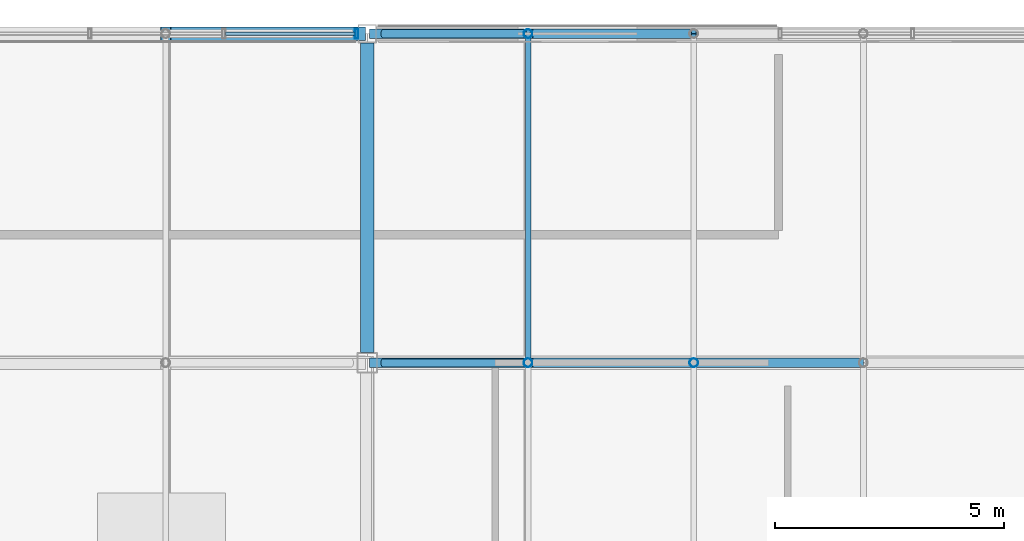
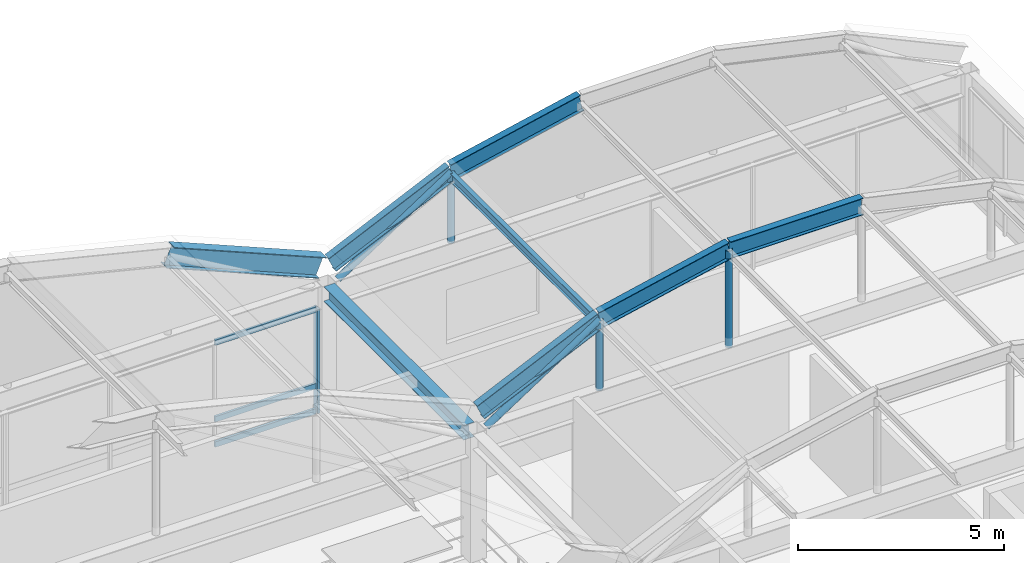
# One storey, part 67 of 106: 16 members, 1 beam, 1 element without a shape of its own.
"""IFC4 building model written with IfcOpenShell, lengths in metres."""

from ifc_helpers import new_model, si_unit, direction, frame, origin, origin_2d, place, context, subcontext, project, spatial, hollow_rectangle, hollow_circle, i_section, extrude, material, material_profile, profile_set, type_object, element, aggregate, save


model = new_model("IFC4")

# Units and contexts
model_context = context("Model", 3, precision=1e-05, world=origin(), true_north=direction((0.0, 1.0)))
body_context = subcontext(model_context, "Body", "Model", "MODEL_VIEW")
ifc_project = project(units=[si_unit("LENGTHUNIT", "METRE"), si_unit("AREAUNIT", "SQUARE_METRE"), si_unit("VOLUMEUNIT", "CUBIC_METRE"), si_unit("PLANEANGLEUNIT", "RADIAN"), si_unit("MASSUNIT", "GRAM", prefix="KILO")], contexts=[model_context])

# Site, building, storey
site_placement = place(None, origin())
site = spatial("IfcSite", under=ifc_project, at=site_placement, CompositionType="ELEMENT")
building_placement = place(site_placement, origin())
building = spatial("IfcBuilding", under=site, at=building_placement, Name="Kazanami Central Library", CompositionType="ELEMENT")
storey_placement = place(building_placement, frame((0.0, 0.0, 12.800048828125)))
storey = spatial("IfcBuildingStorey", under=building, at=storey_placement, Name="L04", CompositionType="ELEMENT", Elevation=12.800048828125)

# Beam
ifc_material_1 = material(Name="Steel SN490B (325 MPa)", Category="steel")
ifc_material_profile_1 = material_profile(ifc_material_1, i_section(OverallWidth=0.300048828125, OverallDepth=0.43994140625, WebThickness=0.010986328125, FlangeThickness=0.01806640625, at=origin_2d()), Name="H-440x300x11x18")
ifc_profile_set_1 = profile_set([ifc_material_profile_1], Name="Steel SN490B (325 MPa)")
beam_type = type_object("IfcBeamType", Name="BM-G-Y4", PredefinedType="BEAM", material=ifc_profile_set_1)
beam_placement = place(storey_placement, frame((90.0, 86.623046875, 3.56005859375), z_axis=(0.0, 1.0, 0.0), x_axis=(-1.0, 0.0, 0.0)))
element("IfcBeam", 1, at=beam_placement, inside=storey, type_object=beam_type, Name="Girder G-Y4 L04 11/N-O", PredefinedType="BEAM", context=body_context, shape_type="SweptSolid", body=[
    extrude(i_section(OverallWidth=0.300048828125, OverallDepth=0.43994140625, WebThickness=0.010986328125, FlangeThickness=0.01806640625, at=origin_2d()), origin(), (0.0, 0.0, 1.0), 6.779052734375),
])

# Members
ifc_material_profile_2 = material_profile(ifc_material_1, i_section(OverallWidth=0.300048828125, OverallDepth=0.587890625, WebThickness=0.011962890625, FlangeThickness=0.02001953125, at=origin_2d()), Name="H-588x300x12x20")
ifc_profile_set_2 = profile_set([ifc_material_profile_2], Name="Steel SN490B (325 MPa)")
member_type_1 = type_object("IfcMemberType", Name="MEM-AR-01", PredefinedType="CHORD", material=ifc_profile_set_2)
member_1_placement = place(storey_placement, frame((85.592041015625, 93.60009765625, 6.089111328125), z_axis=(0.921854112797, 0.0, -0.387537088185), x_axis=(0.0, 1.0, 0.0)))
element("IfcMember", 2, at=member_1_placement, inside=storey, type_object=member_type_1, Name="Barrel Vault Arch Rib AR-01 VAULT-MAIN Grid O Seg 6", PredefinedType="CHORD", context=body_context, shape_type="SweptSolid", body=[
    extrude(i_section(OverallWidth=0.300048828125, OverallDepth=0.587890625, WebThickness=0.011962890625, FlangeThickness=0.02001953125, at=origin_2d()), origin(), (0.0, 0.0, 1.0), 4.618896484375),
])
ifc_material_profile_3 = material_profile(ifc_material_1, i_section(OverallWidth=0.199951171875, OverallDepth=0.5, WebThickness=0.010009765625, FlangeThickness=0.01611328125, at=origin_2d()), Name="H-500x200x10x16")
ifc_profile_set_3 = profile_set([ifc_material_profile_3], Name="Steel SN490B (325 MPa)")
member_type_2 = type_object("IfcMemberType", Name="MEM-AR-02", PredefinedType="CHORD", material=ifc_profile_set_3)
for number, where, z_axis, x_axis, name in (
    (3, (90.14990234375, 86.39990234375, 4.2548828125), (0.908074880538, 0.0, 0.41880784536), (0.0, 1.0, 0.0), "Barrel Vault Arch Rib AR-02 VAULT-EAST Grid N Seg 1"),
    (4, (93.519775390625, 86.39990234375, 5.80908203125), (0.976745687277, 0.0, 0.214401171606), (0.0, 1.0, 0.0), "Barrel Vault Arch Rib AR-02 VAULT-EAST Grid N Seg 2"),
    (5, (97.14453125, 86.39990234375, 6.604736328125), (1.0, 0.0, 0.0), (0.0, 1.0, 0.0), "Barrel Vault Arch Rib AR-02 VAULT-EAST Grid N Seg 3"),
    (6, (90.14990234375, 93.60009765625, 4.2548828125), (0.908074880538, 0.0, 0.41880784536), (0.0, 1.0, 0.0), "Barrel Vault Arch Rib AR-02 VAULT-EAST Grid O Seg 1"),
    (7, (93.519775390625, 93.60009765625, 5.80908203125), (0.976745687277, 0.0, 0.214401171606), (0.0, 1.0, 0.0), "Barrel Vault Arch Rib AR-02 VAULT-EAST Grid O Seg 2"),
):
    element("IfcMember", number, at=place(storey_placement, frame(where, z_axis=z_axis, x_axis=x_axis)), inside=storey, type_object=member_type_2, Name=name, PredefinedType="CHORD", context=body_context, shape_type="SweptSolid", body=[
        extrude(i_section(OverallWidth=0.199951171875, OverallDepth=0.5, WebThickness=0.010009765625, FlangeThickness=0.01611328125, at=origin_2d()), origin(), (0.0, 0.0, 1.0), 3.7109375),
    ])

# Curtain wall, members
ifc_material_2 = material(Name="Acid-Etched Low-E Laminated Glass", Category="glass")
curtain_wall_type = type_object("IfcCurtainWallType", Name="CW-8800x3080-M275", PredefinedType="USERDEFINED", material=ifc_material_2)
curtain_wall_placement = place(storey_placement, origin())
curtain_wall = element("IfcCurtainWall", 8, at=curtain_wall_placement, inside=storey, type_object=curtain_wall_type, Name="Unitised Curtain Wall CW-42 L04 N-O-09", ObjectType="UNITISED CURTAIN WALL", PredefinedType="USERDEFINED")
ifc_material_3 = material(Name="Anodised Aluminium A6063-T5", Category="aluminium")
ifc_material_profile_4 = material_profile(ifc_material_3, hollow_rectangle(XDim=0.070068359375, YDim=0.2099609375, WallThickness=0.0048828125, at=origin_2d()), Name="ALU-MULL-70x210x5")
ifc_profile_set_4 = profile_set([ifc_material_profile_4], Name="Anodised Aluminium A6063-T5")
member_type_3 = type_object("IfcMemberType", Name="MEM-CW-M1", PredefinedType="MULLION", material=ifc_profile_set_4)
member_2_placement = place(storey_placement, frame((89.764892578125, 93.60009765625, 0.0), z_axis=(0.0, 0.0, 1.0), x_axis=(-1.0, 0.0, 0.0)))
member_2 = element("IfcMember", 9, at=member_2_placement, type_object=member_type_3, Name="CW-42 mullion 1", PredefinedType="MULLION", context=body_context, shape_type="SweptSolid", body=[
    extrude(hollow_rectangle(XDim=0.070068359375, YDim=0.2099609375, WallThickness=0.0048828125, at=origin_2d()), origin(), (0.0, 0.0, 1.0), 3.079833984375),
])
ifc_material_profile_5 = material_profile(ifc_material_3, hollow_rectangle(XDim=0.070068359375, YDim=0.159912109375, WallThickness=0.00390625, at=origin_2d()), Name="ALU-TRAN-70x160x4")
ifc_profile_set_5 = profile_set([ifc_material_profile_5], Name="Anodised Aluminium A6063-T5")
member_type_4 = type_object("IfcMemberType", Name="MEM-CW-T1", PredefinedType="USERDEFINED", material=ifc_profile_set_5)
member_3_placement = place(storey_placement, frame((89.72998046875, 93.60009765625, 0.034912109375), z_axis=(-1.0, 0.0, 0.0), x_axis=(0.0, -1.0, 0.0)))
member_3 = element("IfcMember", 10, at=member_3_placement, type_object=member_type_4, Name="CW-42 transom 1.1", ObjectType="TRANSOM", PredefinedType="USERDEFINED", context=body_context, shape_type="SweptSolid", body=[
    extrude(hollow_rectangle(XDim=0.070068359375, YDim=0.159912109375, WallThickness=0.00390625, at=origin_2d()), origin(), (0.0, 0.0, 1.0), 2.828369140625),
])
member_4_placement = place(storey_placement, frame((89.72998046875, 93.60009765625, 0.780029296875), z_axis=(-1.0, 0.0, 0.0), x_axis=(0.0, -1.0, 0.0)))
member_4 = element("IfcMember", 11, at=member_4_placement, type_object=member_type_4, Name="CW-42 transom 1.2", ObjectType="TRANSOM", PredefinedType="USERDEFINED", context=body_context, shape_type="SweptSolid", body=[
    extrude(hollow_rectangle(XDim=0.070068359375, YDim=0.159912109375, WallThickness=0.00390625, at=origin_2d()), origin(), (0.0, 0.0, 1.0), 2.828369140625),
])
member_5_placement = place(storey_placement, frame((89.72998046875, 93.60009765625, 3.044921875), z_axis=(-1.0, 0.0, 0.0), x_axis=(0.0, -1.0, 0.0)))
member_5 = element("IfcMember", 12, at=member_5_placement, type_object=member_type_4, Name="CW-42 transom 1.3", ObjectType="TRANSOM", PredefinedType="USERDEFINED", context=body_context, shape_type="SweptSolid", body=[
    extrude(hollow_rectangle(XDim=0.070068359375, YDim=0.159912109375, WallThickness=0.00390625, at=origin_2d()), origin(), (0.0, 0.0, 1.0), 2.828369140625),
])
aggregate(curtain_wall, [member_2, member_3, member_4, member_5])

# Members
ifc_material_4 = material(Name="Steel SN400B (235 MPa)", Category="steel")
ifc_material_profile_6 = material_profile(ifc_material_4, i_section(OverallWidth=0.125, OverallDepth=0.25, WebThickness=0.006103515625, FlangeThickness=0.009033203125, at=origin_2d()), Name="H-250x125x6x9")
ifc_profile_set_6 = profile_set([ifc_material_profile_6], Name="Steel SN400B (235 MPa)")
member_type_5 = type_object("IfcMemberType", Name="MEM-PUR-250", PredefinedType="PURLIN", material=ifc_profile_set_6)
member_6_placement = place(storey_placement, frame((93.519775390625, 86.405029296875, 5.669189453125), z_axis=(0.0, 1.0, 0.0), x_axis=(-1.0, 0.0, 0.0)))
element("IfcMember", 13, at=member_6_placement, inside=storey, type_object=member_type_5, Name="Barrel Vault Longitudinal Purlin VAULT-EAST Knuckle 1.4", PredefinedType="PURLIN", context=body_context, shape_type="SweptSolid", body=[
    extrude(i_section(OverallWidth=0.125, OverallDepth=0.25, WebThickness=0.006103515625, FlangeThickness=0.009033203125, at=origin_2d()), origin(), (0.0, 0.0, 1.0), 7.18994140625),
])
ifc_material_5 = material(Name="Steel STK490 (315 MPa)", Category="steel")
ifc_material_profile_7 = material_profile(ifc_material_5, hollow_circle(Radius=0.095458984375, WallThickness=0.007080078125, at=origin_2d()), Name="CHS-190.7x7.0")
ifc_profile_set_7 = profile_set([ifc_material_profile_7], Name="Steel STK490 (315 MPa)")
member_type_6 = type_object("IfcMemberType", Name="MEM-VST-190", PredefinedType="STRUT", material=ifc_profile_set_7)
member_7_placement = place(storey_placement, frame((93.519775390625, 86.39990234375, 3.71484375), z_axis=(0.0, 0.0, 1.0), x_axis=(1.0, 0.0, 0.0)))
element("IfcMember", 14, at=member_7_placement, inside=storey, type_object=member_type_6, Name="Barrel Vault Tied-Arch Web Strut VAULT-EAST Grid N Knuckle 1", PredefinedType="STRUT", context=body_context, shape_type="SweptSolid", body=[
    extrude(hollow_circle(Radius=0.095458984375, WallThickness=0.007080078125, at=origin_2d()), origin(), (0.0, 0.0, 1.0), 2.07421875),
])
member_8_placement = place(storey_placement, frame((97.14453125, 86.39990234375, 3.71484375), z_axis=(0.0, 0.0, 1.0), x_axis=(1.0, 0.0, 0.0)))
element("IfcMember", 15, at=member_8_placement, inside=storey, type_object=member_type_6, Name="Barrel Vault Tied-Arch Web Strut VAULT-EAST Grid N Knuckle 2", PredefinedType="STRUT", context=body_context, shape_type="SweptSolid", body=[
    extrude(hollow_circle(Radius=0.095458984375, WallThickness=0.007080078125, at=origin_2d()), origin(), (0.0, 0.0, 1.0), 2.869873046875),
])
member_9_placement = place(storey_placement, frame((90.35009765625, 86.39990234375, 3.71484375), z_axis=(0.836759504137, 0.0, 0.547570572837), x_axis=(0.0, 1.0, 0.0)))
element("IfcMember", 16, at=member_9_placement, inside=storey, type_object=member_type_6, Name="Barrel Vault Tied-Arch Diagonal VAULT-EAST Grid N (L)", PredefinedType="BRACE", context=body_context, shape_type="SweptSolid", body=[
    extrude(hollow_circle(Radius=0.095458984375, WallThickness=0.007080078125, at=origin_2d()), origin(), (0.0, 0.0, 1.0), 3.7880859375),
])
member_10_placement = place(storey_placement, frame((93.519775390625, 93.60009765625, 3.71484375), z_axis=(0.0, 0.0, 1.0), x_axis=(1.0, 0.0, 0.0)))
element("IfcMember", 17, at=member_10_placement, inside=storey, type_object=member_type_6, Name="Barrel Vault Tied-Arch Web Strut VAULT-EAST Grid O Knuckle 1", PredefinedType="STRUT", context=body_context, shape_type="SweptSolid", body=[
    extrude(hollow_circle(Radius=0.095458984375, WallThickness=0.007080078125, at=origin_2d()), origin(), (0.0, 0.0, 1.0), 2.07421875),
])
member_11_placement = place(storey_placement, frame((90.35009765625, 93.60009765625, 3.71484375), z_axis=(0.836759504137, 0.0, 0.547570572837), x_axis=(0.0, 1.0, 0.0)))
element("IfcMember", 18, at=member_11_placement, inside=storey, type_object=member_type_6, Name="Barrel Vault Tied-Arch Diagonal VAULT-EAST Grid O (L)", PredefinedType="BRACE", context=body_context, shape_type="SweptSolid", body=[
    extrude(hollow_circle(Radius=0.095458984375, WallThickness=0.007080078125, at=origin_2d()), origin(), (0.0, 0.0, 1.0), 3.7880859375),
])

save(model, "model.ifc")
